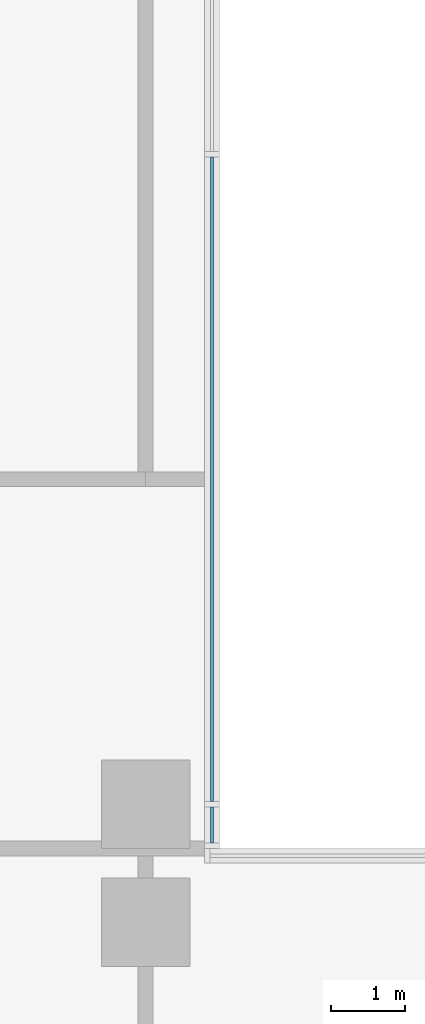
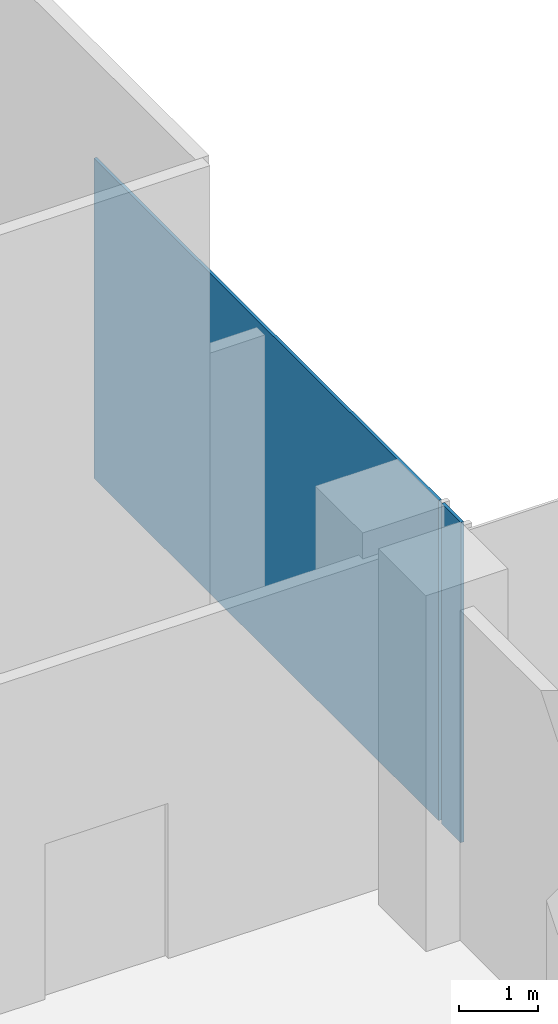
# One storey, part 13 of 30: 2 plates, 1 element without a shape of its own.
"""IFC4 building model written with IfcOpenShell, lengths in metres."""

import ifcopenshell
import ifcopenshell.guid

model = None  # the IFC model being written
_history = None  # IfcOwnerHistory: only IFC2X3 demands one
_inside = {}  # id of a spatial element -> (the spatial element, [elements in it])
_under = {}  # id of a project, library or spatial element -> (it, [spatial elements below it])
_declared = {}  # id of a project -> (the project, [libraries it declares])
_typed = {}  # id of a type object -> (the type object, [elements of that type])
_made_of = {}  # id of a material, layer set ... -> (it, [elements and type objects made of it])


def new_model(schema):
    """Start an empty IFC model of exactly this schema.

    Asked for "IFC4X3", IfcOpenShell would pick the latest addendum, in which some entities
    have other attributes; the version numbers below select the first issue.
    IFC2X3 requires an IfcOwnerHistory on every rooted entity: one is made here for all.
    """
    global model, _history
    if schema == "IFC4X3":
        model = ifcopenshell.file(schema_version=(4, 3, 0, 0))
    else:
        model = ifcopenshell.file(schema=schema)
    _inside.clear()
    _under.clear()
    _declared.clear()
    _typed.clear()
    _made_of.clear()
    _history = None
    if model.schema == "IFC2X3":
        org = make("IfcOrganization", Name="unknown")
        user = make(
            "IfcPersonAndOrganization",
            ThePerson=make("IfcPerson", FamilyName="unknown"),
            TheOrganization=org,
        )
        app = make(
            "IfcApplication",
            ApplicationDeveloper=org,
            Version="unknown",
            ApplicationFullName="unknown",
            ApplicationIdentifier="unknown",
        )
        _history = make(
            "IfcOwnerHistory",
            OwningUser=user,
            OwningApplication=app,
            ChangeAction="ADDED",
            CreationDate=0,
        )
    return model


def make(cls, **values):
    """One entity of the class cls with the attributes given. An attribute that is None is left unset."""
    return model.create_entity(
        cls, **{name: value for name, value in values.items() if value is not None}
    )


def rooted(cls, **values):
    """An entity with a GlobalId (a new one), such as an element, a storey or a relation."""
    return make(cls, GlobalId=ifcopenshell.guid.new(), OwnerHistory=_history, **values)


def si_unit(unit_type, name, prefix=None):
    """IfcSIUnit, for example si_unit("LENGTHUNIT", "METRE", prefix="MILLI")."""
    return make("IfcSIUnit", UnitType=unit_type, Prefix=prefix, Name=name)


def assignment(units):
    """IfcUnitAssignment: the units of a project."""
    return None if units is None else make("IfcUnitAssignment", Units=units)


def point(xyz):
    """IfcCartesianPoint."""
    return None if xyz is None else make("IfcCartesianPoint", Coordinates=xyz)


def direction(xyz):
    """IfcDirection."""
    return None if xyz is None else make("IfcDirection", DirectionRatios=xyz)


def frame(location, z_axis=None, x_axis=None):
    """IfcAxis2Placement3D, a coordinate frame: its origin and axes. An axis left out is left unset."""
    return make(
        "IfcAxis2Placement3D",
        Location=point(location),
        Axis=direction(z_axis),
        RefDirection=direction(x_axis),
    )


def frame_2d(location, x_axis=None):
    """IfcAxis2Placement2D, a coordinate frame in the plane: its origin and x axis."""
    return make(
        "IfcAxis2Placement2D", Location=point(location), RefDirection=direction(x_axis)
    )


def origin():
    """The frame at (0, 0, 0) with its axes left unset."""
    return frame((0.0, 0.0, 0.0))


def origin_2d():
    """The frame at (0, 0) in the plane with its x axis left unset."""
    return frame_2d((0.0, 0.0))


def place(relative_to, where):
    """IfcLocalPlacement: puts the frame where relative to a parent placement (None: the world)."""
    return make(
        "IfcLocalPlacement", PlacementRelTo=relative_to, RelativePlacement=where
    )


def context(
    kind, dimensions, precision=None, world=None, true_north=None, identifier=None
):
    """IfcGeometricRepresentationContext, for example the 3D "Model" context."""
    return make(
        "IfcGeometricRepresentationContext",
        ContextIdentifier=identifier,
        ContextType=kind,
        CoordinateSpaceDimension=dimensions,
        Precision=precision,
        WorldCoordinateSystem=world,
        TrueNorth=true_north,
    )


def subcontext(parent, identifier, kind, view, scale=None):
    """IfcGeometricRepresentationSubContext, for example "Body" below "Model"."""
    return make(
        "IfcGeometricRepresentationSubContext",
        ContextIdentifier=identifier,
        ContextType=kind,
        ParentContext=parent,
        TargetScale=scale,
        TargetView=view,
    )


def project(units=None, contexts=None):
    """IfcProject with its units and contexts."""
    return rooted(
        "IfcProject",
        Name="project",
        RepresentationContexts=contexts,
        UnitsInContext=assignment(units),
    )


def spatial(cls, under=None, at=None, **own):
    """A site, building, storey or space (cls), placed at a placement, below another one or the project."""
    s = rooted(cls, ObjectPlacement=at, **own)
    if under is not None:
        _under.setdefault(under.id(), (under, []))[1].append(s)
    return s


def profile(cls, at=None, kind="AREA", **sizes):
    """A parametric profile (cls). Its sizes go by their IFC names, for example OverallWidth=200.0."""
    return make(cls, ProfileType=kind, Position=at, **sizes)


def rectangle(**sizes):
    """IfcRectangleProfileDef."""
    return profile("IfcRectangleProfileDef", **sizes)


def extrude(swept, where, along, depth):
    """IfcExtrudedAreaSolid: the profile swept, set in the frame where, extruded along a direction by depth."""
    return make(
        "IfcExtrudedAreaSolid",
        SweptArea=swept,
        Position=where,
        ExtrudedDirection=direction(along),
        Depth=depth,
    )


def shape(context_of_items, identifier, shape_type, items):
    """IfcShapeRepresentation: the items that make up one representation, for example the "Body"."""
    return make(
        "IfcShapeRepresentation",
        ContextOfItems=context_of_items,
        RepresentationIdentifier=identifier,
        RepresentationType=shape_type,
        Items=items,
    )


def source(mapping_origin, context_of_items, identifier, shape_type, items):
    """IfcRepresentationMap: a shape defined once, which mapped items show again and again."""
    return make(
        "IfcRepresentationMap",
        MappingOrigin=mapping_origin,
        MappedRepresentation=shape(context_of_items, identifier, shape_type, items),
    )


def transform(
    local_origin,
    x_axis=None,
    y_axis=None,
    z_axis=None,
    scale=None,
    scale2=None,
    scale3=None,
    uniform=True,
):
    """IfcCartesianTransformationOperator3D, or its non-uniform kind. x_axis, y_axis, z_axis: its Axis1, 2, 3."""
    if uniform:
        return make(
            "IfcCartesianTransformationOperator3D",
            Axis1=direction(x_axis),
            Axis2=direction(y_axis),
            LocalOrigin=point(local_origin),
            Scale=scale,
            Axis3=direction(z_axis),
        )
    return make(
        "IfcCartesianTransformationOperator3DnonUniform",
        Axis1=direction(x_axis),
        Axis2=direction(y_axis),
        LocalOrigin=point(local_origin),
        Scale=scale,
        Axis3=direction(z_axis),
        Scale2=scale2,
        Scale3=scale3,
    )


def mapped(mapping_source, mapping_target):
    """IfcMappedItem: shows the shape of a source again, moved by a transform."""
    return make(
        "IfcMappedItem", MappingSource=mapping_source, MappingTarget=mapping_target
    )


def material(Name=None, Category=None):
    """IfcMaterial."""
    return make("IfcMaterial", Name=Name, Category=Category)


def layer(
    of_material, thickness, ventilated=None, Name=None, Category=None, Priority=None
):
    """IfcMaterialLayer: one layer of a wall or slab, of a material (None: an air gap)."""
    return make(
        "IfcMaterialLayer",
        Material=of_material,
        LayerThickness=thickness,
        IsVentilated=ventilated,
        Name=Name,
        Category=Category,
        Priority=Priority,
    )


def layer_set(layers, Name=None):
    """IfcMaterialLayerSet."""
    return make("IfcMaterialLayerSet", MaterialLayers=layers, LayerSetName=Name)


def made_of(thing, what):
    """Note that an element or type object is made of a material, layer set ...; save() writes the relation."""
    if what is not None:
        _made_of.setdefault(what.id(), (what, []))[1].append(thing)
    return thing


def type_object(cls, material=None, **own):
    """A type object (cls), such as IfcWallType, which elements share."""
    return made_of(rooted(cls, **own), material)


def element(
    cls,
    number,
    at=None,
    inside=None,
    cuts=None,
    type_object=None,
    material=None,
    context=None,
    identifier="Body",
    shape_type=None,
    held_by="IfcProductDefinitionShape",
    body=None,
    shapes=None,
    **own,
):
    """One element of the class cls, such as IfcWall. Its Tag is "e" and its number.

    at: its placement. inside: the storey or other place that contains it. cuts: it is an
    opening in that element (IfcRelVoidsElement). A single representation is given by context,
    identifier, shape_type and body (its items); several are given by shapes. held_by: the class
    of the entity that holds the representations. save() writes the other relations.
    """
    e = rooted(cls, Tag="e%d" % number, ObjectPlacement=at, **own)
    if body is not None:
        shapes = [shape(context, identifier, shape_type, body)]
    if shapes is not None:
        e.Representation = make(held_by, Representations=shapes)
    if inside is not None:
        _inside.setdefault(inside.id(), (inside, []))[1].append(e)
    if cuts is not None:
        rooted(
            "IfcRelVoidsElement", RelatingBuildingElement=cuts, RelatedOpeningElement=e
        )
    if type_object is not None:
        _typed.setdefault(type_object.id(), (type_object, []))[1].append(e)
    return made_of(e, material)


def aggregate(whole, parts):
    """IfcRelAggregates: a whole, such as a stair, and the parts it consists of."""
    return rooted("IfcRelAggregates", RelatingObject=whole, RelatedObjects=parts)


def save(model, path):
    """Write the relations noted so far, then the file.

    IfcRelAggregates (storeys below a building ...), IfcRelContainedInSpatialStructure (elements
    in a storey), IfcRelDefinesByType, IfcRelAssociatesMaterial and IfcRelDeclares: one each for
    every whole, place, type object, material and project.
    """
    for whole, parts in _under.values():
        aggregate(whole, parts)
    for where, things in _inside.values():
        rooted(
            "IfcRelContainedInSpatialStructure",
            RelatedElements=things,
            RelatingStructure=where,
        )
    for kind, things in _typed.values():
        rooted("IfcRelDefinesByType", RelatedObjects=things, RelatingType=kind)
    for what, things in _made_of.values():
        rooted("IfcRelAssociatesMaterial", RelatedObjects=things, RelatingMaterial=what)
    for by, libraries in _declared.values():
        rooted("IfcRelDeclares", RelatingContext=by, RelatedDefinitions=libraries)
    model.write(path)


model = new_model("IFC4")

# Units and contexts
model_context = context("Model", 3, precision=1e-05, world=origin(), true_north=direction((0.0, 1.0)))
body_context = subcontext(model_context, "Body", "Model", "MODEL_VIEW")
ifc_project = project(units=[si_unit("LENGTHUNIT", "METRE"), si_unit("AREAUNIT", "SQUARE_METRE"), si_unit("VOLUMEUNIT", "CUBIC_METRE"), si_unit("PLANEANGLEUNIT", "RADIAN"), si_unit("MASSUNIT", "GRAM", prefix="KILO")], contexts=[model_context])

# Site, building, storey
site_placement = place(None, origin())
site = spatial("IfcSite", under=ifc_project, at=site_placement, CompositionType="ELEMENT")
building_placement = place(site_placement, origin())
building = spatial("IfcBuilding", under=site, at=building_placement, Name="Kemantara Hotel Tower", CompositionType="ELEMENT")
storey_placement = place(building_placement, frame((0.0, 0.0, 18.0)))
storey = spatial("IfcBuildingStorey", under=building, at=storey_placement, Name="L03", CompositionType="ELEMENT", Elevation=18.0)

# Curtain wall, plates
ifc_material = material(Name="Laminated tinted insulated glass 44 mm", Category="glass")
curtain_wall_type = type_object("IfcCurtainWallType", Name="PODIUM GLASS CURTAIN WALL", PredefinedType="USERDEFINED", material=ifc_material)
curtain_wall_placement = place(storey_placement, origin())
curtain_wall = element("IfcCurtainWall", 1, at=curtain_wall_placement, inside=storey, type_object=curtain_wall_type, Name="CW1 L03 POD-R08-1", ObjectType="PODIUM GLASS CURTAIN WALL", PredefinedType="USERDEFINED")
ifc_layer = layer(ifc_material, 0.0439453125)
ifc_layer_set = layer_set([ifc_layer], Name="Laminated tinted insulated glass 44 mm")
plate_type = type_object("IfcPlateType", Name="PODIUM GLASS CURTAIN WALL PANEL", PredefinedType="CURTAIN_PANEL", material=ifc_layer_set)
shared_shape_1 = source(origin(), body_context, "Body", "SweptSolid", [
    extrude(rectangle(XDim=8.72509765625, YDim=0.0439453125, at=origin_2d()), origin(), (0.0, 0.0, 1.0), 4.949951171875),
])
plate_1_placement = place(storey_placement, frame((63.5, 31.800048828125, 0.14990234375), z_axis=(0.0, 0.0, 1.0), x_axis=(0.0, 1.0, 0.0)))
plate_1 = element("IfcPlate", 2, at=plate_1_placement, type_object=plate_type, Name="CW1 glass panel POD-R08-1.2", PredefinedType="CURTAIN_PANEL", context=body_context, shape_type="MappedRepresentation", body=[
    mapped(shared_shape_1, transform((0.0, 0.0, 0.0))),
])
shared_shape_2 = source(origin(), body_context, "Body", "SweptSolid", [
    extrude(rectangle(XDim=0.487548828125, YDim=0.0439453125, at=origin_2d()), origin(), (0.0, 0.0, 1.0), 4.949951171875),
])
plate_2_placement = place(storey_placement, frame((63.5, 27.11865234375, 0.14990234375), z_axis=(0.0, 0.0, 1.0), x_axis=(0.0, 1.0, 0.0)))
plate_2 = element("IfcPlate", 3, at=plate_2_placement, type_object=plate_type, Name="CW1 glass panel POD-R08-1.1", PredefinedType="CURTAIN_PANEL", context=body_context, shape_type="MappedRepresentation", body=[
    mapped(shared_shape_2, transform((0.0, 0.0, 0.0))),
])
aggregate(curtain_wall, [plate_2, plate_1])

save(model, "model.ifc")
